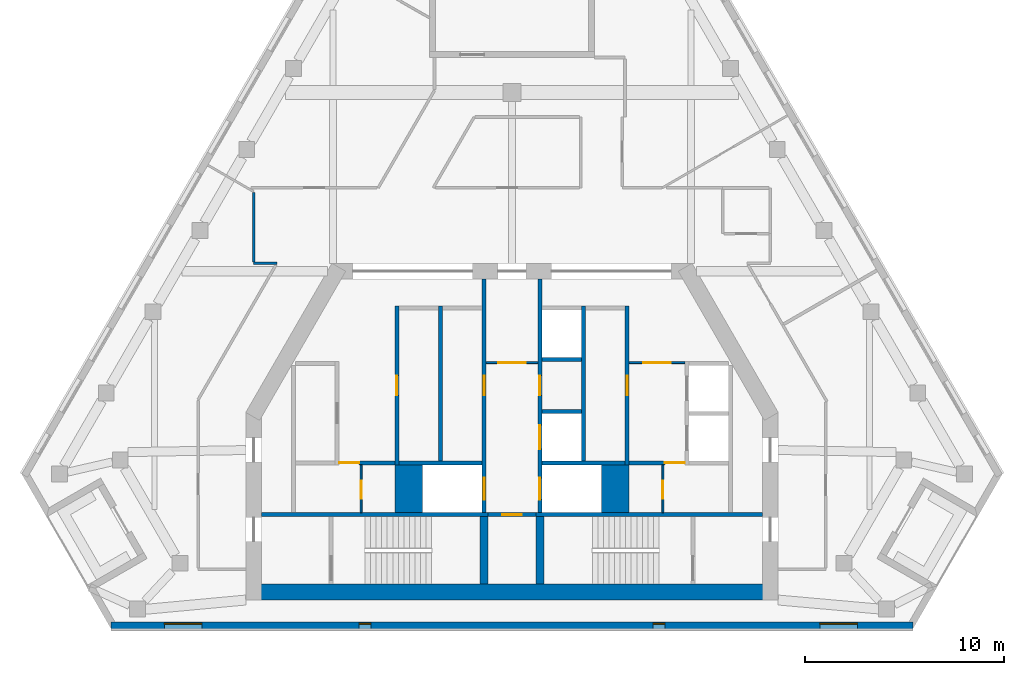
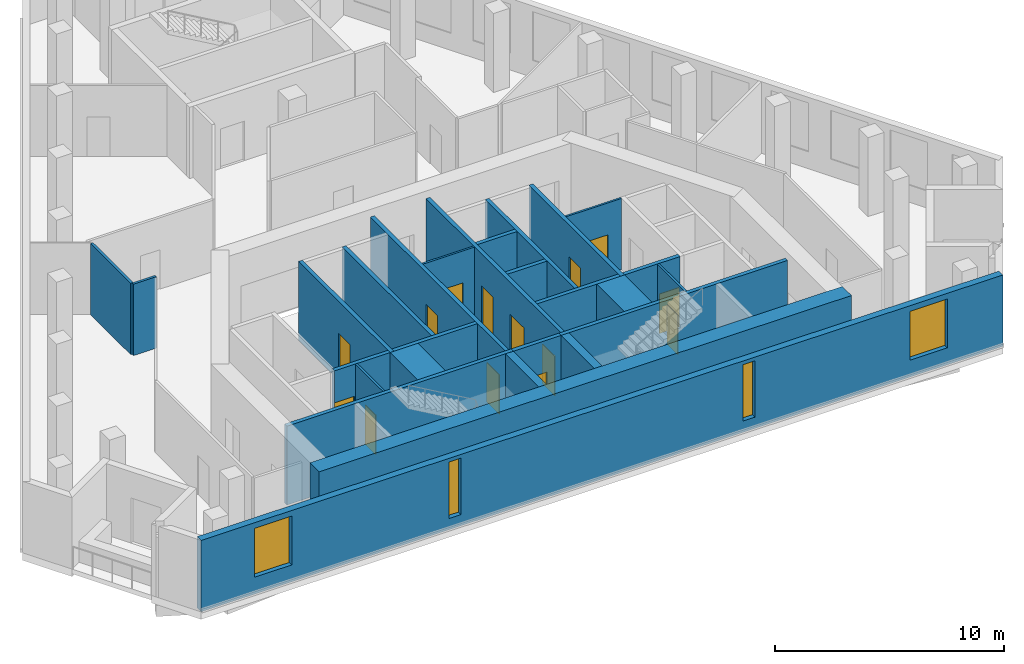
# One storey, part 3 of 8: 27 walls, 14 doors, 4 windows, 18 openings.
"""IFC4 building model written with IfcOpenShell, lengths in metres."""

from ifc_helpers import new_model, si_unit, direction, frame, frame_2d, origin, place, context, subcontext, project, spatial, rectangle, extrude, material, layer, layer_set, type_object, element, fill, save


model = new_model("IFC4")

# Units and contexts
model_context = context("Model", 3, precision=1e-05, world=origin(), true_north=direction((0.0, 1.0)))
body_context = subcontext(model_context, "Body", "Model", "MODEL_VIEW")
ifc_project = project(units=[si_unit("LENGTHUNIT", "METRE"), si_unit("AREAUNIT", "SQUARE_METRE"), si_unit("VOLUMEUNIT", "CUBIC_METRE"), si_unit("PLANEANGLEUNIT", "RADIAN"), si_unit("MASSUNIT", "GRAM", prefix="KILO")], contexts=[model_context])

# Site, building, storey
site_placement = place(None, origin())
site = spatial("IfcSite", under=ifc_project, at=site_placement, CompositionType="ELEMENT")
building_placement = place(site_placement, origin())
building = spatial("IfcBuilding", under=site, at=building_placement, Name="Fogline Exchange Tower", CompositionType="ELEMENT")
storey_placement = place(building_placement, frame((0.0, 0.0, 309.89990234375)))
storey = spatial("IfcBuildingStorey", under=building, at=storey_placement, Name="L70", CompositionType="ELEMENT", Elevation=309.89990234375)

# Wall, opening, door
ifc_material_1 = material(Name="Blockwork partition", Category="masonry")
ifc_layer_1 = layer(ifc_material_1, 0.10009765625)
ifc_layer_set_1 = layer_set([ifc_layer_1], Name="CW10")
wall_type_1 = type_object("IfcWallType", Name="CW10", PredefinedType="PARTITIONING", material=ifc_layer_set_1)
wall_1_placement = place(storey_placement, frame((-7.60009765625, 5.85009765625, 0.0), z_axis=(0.0, 0.0, 1.0), x_axis=(0.0, 1.0, 0.0)))
wall_1 = element("IfcWall", 1, at=wall_1_placement, inside=storey, type_object=wall_type_1, Name="WC partition", PredefinedType="PARTITIONING", context=body_context, shape_type="SweptSolid", body=[
    extrude(rectangle(XDim=2.39990234375, YDim=0.10009765625, at=frame_2d((1.199951171875, 0.0))), origin(), (0.0, 0.0, 1.0), 3.800048828125),
])
opening_1_placement = place(wall_1_placement, frame((0.699951171875, 0.0, 0.0)))
opening_1 = element("IfcOpeningElement", 2, at=opening_1_placement, cuts=wall_1, Name="Opening T22-C008", PredefinedType="OPENING", context=body_context, shape_type="SweptSolid", body=[
    extrude(rectangle(XDim=0.89990234375, YDim=2.10009765625, at=frame_2d((0.449951171875, 1.050048828125))), frame((0.0, 0.06005859375, 0.0), z_axis=(0.0, -1.0, 0.0), x_axis=(1.0, 0.0, 0.0)), (0.0, 0.0, 1.0), 0.1201171875),
])
ifc_material_2 = material(Name="Steel and timber fire door", Category="steel")
door_type_1 = type_object("IfcDoorType", Name="D-CS1", OperationType="SINGLE_SWING_RIGHT", PredefinedType="DOOR", material=ifc_material_2)
door_1_placement = place(opening_1_placement, frame((0.89990234375, 0.0, 0.0), z_axis=(0.0, 0.0, 1.0), x_axis=(-1.0, 0.0, 0.0)))
door_1 = element("IfcDoor", 3, at=door_1_placement, inside=storey, type_object=door_type_1, Name="Door to Cleaner's Store", OperationType="SINGLE_SWING_RIGHT", OverallHeight=2.10009765625, OverallWidth=0.89990234375, PredefinedType="DOOR", context=body_context, shape_type="SweptSolid", body=[
    extrude(rectangle(XDim=0.89990234375, YDim=2.10009765625, at=frame_2d((0.449951171875, 1.050048828125))), frame((0.0, 0.02490234375, 0.0), z_axis=(0.0, -1.0, 0.0), x_axis=(1.0, 0.0, 0.0)), (0.0, 0.0, 1.0), 0.050048828125),
])
fill(opening_1, door_1)

wall_2_placement = place(storey_placement, frame((5.89990234375, 13.39990234375, 0.0), z_axis=(0.0, 0.0, 1.0), x_axis=(1.0, 0.0, 0.0)))
wall_2 = element("IfcWall", 4, at=wall_2_placement, inside=storey, type_object=wall_type_1, Name="Lift lobby partition", PredefinedType="PARTITIONING", context=body_context, shape_type="SweptSolid", body=[
    extrude(rectangle(XDim=2.800048828125, YDim=0.10009765625, at=frame_2d((1.39990234375, 0.0))), origin(), (0.0, 0.0, 1.0), 3.800048828125),
])
opening_2_placement = place(wall_2_placement, frame((0.699951171875, 0.0, 0.0)))
opening_2 = element("IfcOpeningElement", 5, at=opening_2_placement, cuts=wall_2, Name="Opening T22-C012", PredefinedType="OPENING", context=body_context, shape_type="SweptSolid", body=[
    extrude(rectangle(XDim=1.39990234375, YDim=2.10009765625, at=frame_2d((0.699951171875, 1.050048828125))), frame((0.0, 0.06005859375, 0.0), z_axis=(0.0, -1.0, 0.0), x_axis=(1.0, 0.0, 0.0)), (0.0, 0.0, 1.0), 0.1201171875),
])
door_type_2 = type_object("IfcDoorType", Name="D-LB1", OperationType="DOUBLE_DOOR_SINGLE_SWING", PredefinedType="DOOR", material=ifc_material_2)
door_2_placement = place(opening_2_placement, frame((1.39990234375, 0.0, 0.0), z_axis=(0.0, 0.0, 1.0), x_axis=(-1.0, 0.0, 0.0)))
door_2 = element("IfcDoor", 6, at=door_2_placement, inside=storey, type_object=door_type_2, Name="Door to lift lobby", OperationType="DOUBLE_DOOR_SINGLE_SWING", OverallHeight=2.10009765625, OverallWidth=1.39990234375, PredefinedType="DOOR", context=body_context, shape_type="SweptSolid", body=[
    extrude(rectangle(XDim=1.39990234375, YDim=2.10009765625, at=frame_2d((0.699951171875, 1.050048828125))), frame((0.0, 0.02490234375, 0.0), z_axis=(0.0, -1.0, 0.0), x_axis=(1.0, 0.0, 0.0)), (0.0, 0.0, 1.0), 0.050048828125),
])
fill(opening_2, door_2)

wall_3_placement = place(storey_placement, frame((7.60009765625, 5.85009765625, 0.0), z_axis=(0.0, 0.0, 1.0), x_axis=(0.0, 1.0, 0.0)))
wall_3 = element("IfcWall", 7, at=wall_3_placement, inside=storey, type_object=wall_type_1, Name="WC partition", PredefinedType="PARTITIONING", context=body_context, shape_type="SweptSolid", body=[
    extrude(rectangle(XDim=2.39990234375, YDim=0.10009765625, at=frame_2d((1.199951171875, 0.0))), origin(), (0.0, 0.0, 1.0), 3.800048828125),
])
opening_3_placement = place(wall_3_placement, frame((0.699951171875, 0.0, 0.0)))
opening_3 = element("IfcOpeningElement", 8, at=opening_3_placement, cuts=wall_3, Name="Opening T22-C014", PredefinedType="OPENING", context=body_context, shape_type="SweptSolid", body=[
    extrude(rectangle(XDim=0.89990234375, YDim=2.10009765625, at=frame_2d((0.449951171875, 1.050048828125))), frame((0.0, 0.06005859375, 0.0), z_axis=(0.0, -1.0, 0.0), x_axis=(1.0, 0.0, 0.0)), (0.0, 0.0, 1.0), 0.1201171875),
])
door_3_placement = place(opening_3_placement, origin())
door_3 = element("IfcDoor", 9, at=door_3_placement, inside=storey, type_object=door_type_1, Name="Door to Cleaner's Store", OperationType="SINGLE_SWING_LEFT", OverallHeight=2.10009765625, OverallWidth=0.89990234375, PredefinedType="DOOR", context=body_context, shape_type="SweptSolid", body=[
    extrude(rectangle(XDim=0.89990234375, YDim=2.10009765625, at=frame_2d((0.449951171875, 1.050048828125))), frame((0.0, 0.02490234375, 0.0), z_axis=(0.0, -1.0, 0.0), x_axis=(1.0, 0.0, 0.0)), (0.0, 0.0, 1.0), 0.050048828125),
])
fill(opening_3, door_3)

wall_4_placement = place(storey_placement, frame((-1.300048828125, 13.39990234375, 0.0), z_axis=(0.0, 0.0, 1.0), x_axis=(1.0, 0.0, 0.0)))
wall_4 = element("IfcWall", 10, at=wall_4_placement, inside=storey, type_object=wall_type_1, Name="Lift lobby partition", PredefinedType="PARTITIONING", context=body_context, shape_type="SweptSolid", body=[
    extrude(rectangle(XDim=2.60009765625, YDim=0.10009765625, at=frame_2d((1.300048828125, 0.0))), origin(), (0.0, 0.0, 1.0), 3.800048828125),
])
opening_4_placement = place(wall_4_placement, frame((0.60009765625, 0.0, 0.0)))
opening_4 = element("IfcOpeningElement", 11, at=opening_4_placement, cuts=wall_4, Name="Opening T22-C018", PredefinedType="OPENING", context=body_context, shape_type="SweptSolid", body=[
    extrude(rectangle(XDim=1.39990234375, YDim=2.10009765625, at=frame_2d((0.699951171875, 1.050048828125))), frame((0.0, 0.06005859375, 0.0), z_axis=(0.0, -1.0, 0.0), x_axis=(1.0, 0.0, 0.0)), (0.0, 0.0, 1.0), 0.1201171875),
])
door_4_placement = place(opening_4_placement, origin())
door_4 = element("IfcDoor", 12, at=door_4_placement, inside=storey, type_object=door_type_2, Name="Door to firefighting lift lobby", OperationType="DOUBLE_DOOR_SINGLE_SWING", OverallHeight=2.10009765625, OverallWidth=1.39990234375, PredefinedType="DOOR", context=body_context, shape_type="SweptSolid", body=[
    extrude(rectangle(XDim=1.39990234375, YDim=2.10009765625, at=frame_2d((0.699951171875, 1.050048828125))), frame((0.0, 0.02490234375, 0.0), z_axis=(0.0, -1.0, 0.0), x_axis=(1.0, 0.0, 0.0)), (0.0, 0.0, 1.0), 0.050048828125),
])
fill(opening_4, door_4)

# Walls
ifc_material_3 = material(Name="Concrete C60", Category="concrete")
ifc_layer_2 = layer(ifc_material_3, 1.39990234375)
ifc_layer_set_2 = layer_set([ifc_layer_2], Name="CW140")
wall_type_2 = type_object("IfcWallType", Name="CW140", PredefinedType="SOLIDWALL", material=ifc_layer_set_2)
for number, where, z_axis, x_axis, name in (
    (13, (-5.199951171875, 5.85009765625, -0.39990234375), (0.0, 0.0, 1.0), (0.0, 1.0, 0.0), "Lift shaft block wall"),
    (14, (5.199951171875, 5.85009765625, -0.39990234375), (0.0, 0.0, 1.0), (0.0, 1.0, 0.0), "Lift shaft block wall"),
):
    element("IfcWall", number, at=place(storey_placement, frame(where, z_axis=z_axis, x_axis=x_axis)), inside=storey, type_object=wall_type_2, Name=name, PredefinedType="SOLIDWALL", context=body_context, shape_type="SweptSolid", body=[
        extrude(rectangle(XDim=2.39990234375, YDim=1.39990234375, at=frame_2d((1.199951171875, 0.0))), origin(), (0.0, 0.0, 1.0), 4.199951171875),
    ])

# Wall, opening, door
ifc_material_4 = material(Name="Concrete C40", Category="concrete")
ifc_layer_3 = layer(ifc_material_4, 0.199951171875)
ifc_layer_set_3 = layer_set([ifc_layer_3], Name="CW20")
wall_type_3 = type_object("IfcWallType", Name="CW20", PredefinedType="SOLIDWALL", material=ifc_layer_set_3)
wall_5_placement = place(storey_placement, frame((-8.699951171875, 8.35009765625, 0.0), z_axis=(0.0, 0.0, 1.0), x_axis=(1.0, 0.0, 0.0)))
wall_5 = element("IfcWall", 15, at=wall_5_placement, inside=storey, type_object=wall_type_3, Name="WC wall", PredefinedType="SOLIDWALL", context=body_context, shape_type="SweptSolid", body=[
    extrude(rectangle(XDim=2.800048828125, YDim=0.199951171875, at=frame_2d((1.39990234375, 0.0))), origin(), (0.0, 0.0, 1.0), 3.800048828125),
])
opening_5_placement = place(wall_5_placement, origin())
opening_5 = element("IfcOpeningElement", 16, at=opening_5_placement, cuts=wall_5, Name="Opening T22-C007", PredefinedType="OPENING", context=body_context, shape_type="SweptSolid", body=[
    extrude(rectangle(XDim=1.0, YDim=2.10009765625, at=frame_2d((0.5, 1.050048828125))), frame((0.0, 0.10986328125, 0.0), z_axis=(0.0, -1.0, 0.0), x_axis=(1.0, 0.0, 0.0)), (0.0, 0.0, 1.0), 0.219970703125),
])
door_type_3 = type_object("IfcDoorType", Name="D-WC1", OperationType="SINGLE_SWING_LEFT", PredefinedType="DOOR", material=ifc_material_2)
door_5_placement = place(opening_5_placement, frame((1.0, 0.0, 0.0), z_axis=(0.0, 0.0, 1.0), x_axis=(-1.0, 0.0, 0.0)))
door_5 = element("IfcDoor", 17, at=door_5_placement, inside=storey, type_object=door_type_3, Name="Door to Men's WC", OperationType="SINGLE_SWING_LEFT", OverallHeight=2.10009765625, OverallWidth=1.0, PredefinedType="DOOR", context=body_context, shape_type="SweptSolid", body=[
    extrude(rectangle(XDim=1.0, YDim=2.10009765625, at=frame_2d((0.5, 1.050048828125))), frame((0.0, 0.02490234375, 0.0), z_axis=(0.0, -1.0, 0.0), x_axis=(1.0, 0.0, 0.0)), (0.0, 0.0, 1.0), 0.050048828125),
])
fill(opening_5, door_5)

wall_6_placement = place(storey_placement, frame((5.89990234375, 8.35009765625, 0.0), z_axis=(0.0, 0.0, 1.0), x_axis=(1.0, 0.0, 0.0)))
wall_6 = element("IfcWall", 18, at=wall_6_placement, inside=storey, type_object=wall_type_3, Name="WC wall", PredefinedType="SOLIDWALL", context=body_context, shape_type="SweptSolid", body=[
    extrude(rectangle(XDim=2.800048828125, YDim=0.199951171875, at=frame_2d((1.39990234375, 0.0))), origin(), (0.0, 0.0, 1.0), 3.800048828125),
])
opening_6_placement = place(wall_6_placement, frame((1.800048828125, 0.0, 0.0)))
opening_6 = element("IfcOpeningElement", 19, at=opening_6_placement, cuts=wall_6, Name="Opening T22-C013", PredefinedType="OPENING", context=body_context, shape_type="SweptSolid", body=[
    extrude(rectangle(XDim=1.0, YDim=2.10009765625, at=frame_2d((0.5, 1.050048828125))), frame((0.0, 0.10986328125, 0.0), z_axis=(0.0, -1.0, 0.0), x_axis=(1.0, 0.0, 0.0)), (0.0, 0.0, 1.0), 0.219970703125),
])
door_6_placement = place(opening_6_placement, frame((1.0, 0.0, 0.0), z_axis=(0.0, 0.0, 1.0), x_axis=(-1.0, 0.0, 0.0)))
door_6 = element("IfcDoor", 20, at=door_6_placement, inside=storey, type_object=door_type_3, Name="Door to Women's WC", OperationType="SINGLE_SWING_LEFT", OverallHeight=2.10009765625, OverallWidth=1.0, PredefinedType="DOOR", context=body_context, shape_type="SweptSolid", body=[
    extrude(rectangle(XDim=1.0, YDim=2.10009765625, at=frame_2d((0.5, 1.050048828125))), frame((0.0, 0.02490234375, 0.0), z_axis=(0.0, -1.0, 0.0), x_axis=(1.0, 0.0, 0.0)), (0.0, 0.0, 1.0), 0.050048828125),
])
fill(opening_6, door_6)

# Wall
ifc_layer_4 = layer(ifc_material_4, 0.199951171875)
ifc_layer_set_4 = layer_set([ifc_layer_4], Name="CW20R")
wall_type_4 = type_object("IfcWallType", Name="CW20R", PredefinedType="SOLIDWALL", material=ifc_layer_set_4)
wall_7_placement = place(storey_placement, frame((-12.60009765625, 5.75, -0.39990234375), z_axis=(0.0, 0.0, 1.0), x_axis=(1.0, 0.0, 0.0)))
element("IfcWall", 21, at=wall_7_placement, inside=storey, type_object=wall_type_4, Name="Stair enclosure wall", PredefinedType="SOLIDWALL", context=body_context, shape_type="SweptSolid", body=[
    extrude(rectangle(XDim=11.400146484375, YDim=0.199951171875, at=frame_2d((5.7001953125, 0.0))), origin(), (0.0, 0.0, 1.0), 4.199951171875),
])

# Wall, opening, door
wall_8_placement = place(storey_placement, frame((-1.199951171875, 5.75, -0.39990234375), z_axis=(0.0, 0.0, 1.0), x_axis=(1.0, 0.0, 0.0)))
wall_8 = element("IfcWall", 22, at=wall_8_placement, inside=storey, type_object=wall_type_4, Name="Stair enclosure wall", PredefinedType="SOLIDWALL", context=body_context, shape_type="SweptSolid", body=[
    extrude(rectangle(XDim=2.39990234375, YDim=0.199951171875, at=frame_2d((1.199951171875, 0.0))), origin(), (0.0, 0.0, 1.0), 4.199951171875),
])
opening_7_placement = place(wall_8_placement, frame((0.699951171875, 0.0, 0.39990234375)))
opening_7 = element("IfcOpeningElement", 23, at=opening_7_placement, cuts=wall_8, Name="Opening T22-C006", PredefinedType="OPENING", context=body_context, shape_type="SweptSolid", body=[
    extrude(rectangle(XDim=1.0, YDim=2.10009765625, at=frame_2d((0.5, 1.050048828125))), frame((0.0, 0.10986328125, 0.0), z_axis=(0.0, -1.0, 0.0), x_axis=(1.0, 0.0, 0.0)), (0.0, 0.0, 1.0), 0.219970703125),
])
door_type_4 = type_object("IfcDoorType", Name="D-RM1", OperationType="SINGLE_SWING_LEFT", PredefinedType="DOOR", material=ifc_material_2)
door_7_placement = place(opening_7_placement, frame((1.0, 0.0, 0.0), z_axis=(0.0, 0.0, 1.0), x_axis=(-1.0, 0.0, 0.0)))
door_7 = element("IfcDoor", 24, at=door_7_placement, inside=storey, type_object=door_type_4, Name="Door to Riser Room", OperationType="SINGLE_SWING_RIGHT", OverallHeight=2.10009765625, OverallWidth=1.0, PredefinedType="DOOR", context=body_context, shape_type="SweptSolid", body=[
    extrude(rectangle(XDim=1.0, YDim=2.10009765625, at=frame_2d((0.5, 1.050048828125))), frame((0.0, 0.02490234375, 0.0), z_axis=(0.0, -1.0, 0.0), x_axis=(1.0, 0.0, 0.0)), (0.0, 0.0, 1.0), 0.050048828125),
])
fill(opening_7, door_7)

# Wall
wall_9_placement = place(storey_placement, frame((1.199951171875, 5.75, -0.39990234375), z_axis=(0.0, 0.0, 1.0), x_axis=(1.0, 0.0, 0.0)))
element("IfcWall", 25, at=wall_9_placement, inside=storey, type_object=wall_type_4, Name="Stair enclosure wall", PredefinedType="SOLIDWALL", context=body_context, shape_type="SweptSolid", body=[
    extrude(rectangle(XDim=11.400146484375, YDim=0.199951171875, at=frame_2d((5.7001953125, 0.0))), origin(), (0.0, 0.0, 1.0), 4.199951171875),
])

# Wall, opening, door
ifc_layer_5 = layer(ifc_material_4, 0.199951171875)
ifc_layer_set_5 = layer_set([ifc_layer_5], Name="CW20S")
wall_type_5 = type_object("IfcWallType", Name="CW20S", PredefinedType="SOLIDWALL", material=ifc_layer_set_5)
wall_10_placement = place(storey_placement, frame((-5.800048828125, 8.25, -0.39990234375), z_axis=(0.0, 0.0, 1.0), x_axis=(0.0, 1.0, 0.0)))
wall_10 = element("IfcWall", 26, at=wall_10_placement, inside=storey, type_object=wall_type_5, Name="Lift shaft wall", PredefinedType="SOLIDWALL", context=body_context, shape_type="SweptSolid", body=[
    extrude(rectangle(XDim=8.0, YDim=0.199951171875, at=frame_2d((4.0, 0.0))), origin(), (0.0, 0.0, 1.0), 4.199951171875),
])
opening_8_placement = place(wall_10_placement, frame((3.5, 0.0, 0.39990234375)))
opening_8 = element("IfcOpeningElement", 27, at=opening_8_placement, cuts=wall_10, Name="Opening T22-C002", PredefinedType="OPENING", context=body_context, shape_type="SweptSolid", body=[
    extrude(rectangle(XDim=1.0, YDim=2.10009765625, at=frame_2d((0.5, 1.050048828125))), frame((0.0, 0.10986328125, 0.0), z_axis=(0.0, -1.0, 0.0), x_axis=(1.0, 0.0, 0.0)), (0.0, 0.0, 1.0), 0.219970703125),
])
door_8_placement = place(opening_8_placement, frame((1.0, 0.0, 0.0), z_axis=(0.0, 0.0, 1.0), x_axis=(-1.0, 0.0, 0.0)))
door_8 = element("IfcDoor", 28, at=door_8_placement, inside=storey, type_object=door_type_4, Name="Door to Service Hall", OperationType="SINGLE_SWING_RIGHT", OverallHeight=2.10009765625, OverallWidth=1.0, PredefinedType="DOOR", context=body_context, shape_type="SweptSolid", body=[
    extrude(rectangle(XDim=1.0, YDim=2.10009765625, at=frame_2d((0.5, 1.050048828125))), frame((0.0, 0.02490234375, 0.0), z_axis=(0.0, -1.0, 0.0), x_axis=(1.0, 0.0, 0.0)), (0.0, 0.0, 1.0), 0.050048828125),
])
fill(opening_8, door_8)

wall_11_placement = place(storey_placement, frame((5.800048828125, 8.25, -0.39990234375), z_axis=(0.0, 0.0, 1.0), x_axis=(0.0, 1.0, 0.0)))
wall_11 = element("IfcWall", 29, at=wall_11_placement, inside=storey, type_object=wall_type_5, Name="Lift shaft wall", PredefinedType="SOLIDWALL", context=body_context, shape_type="SweptSolid", body=[
    extrude(rectangle(XDim=8.0, YDim=0.199951171875, at=frame_2d((4.0, 0.0))), origin(), (0.0, 0.0, 1.0), 4.199951171875),
])
opening_9_placement = place(wall_11_placement, frame((3.5, 0.0, 0.39990234375)))
opening_9 = element("IfcOpeningElement", 30, at=opening_9_placement, cuts=wall_11, Name="Opening T22-C004", PredefinedType="OPENING", context=body_context, shape_type="SweptSolid", body=[
    extrude(rectangle(XDim=1.0, YDim=2.10009765625, at=frame_2d((0.5, 1.050048828125))), frame((0.0, 0.10986328125, 0.0), z_axis=(0.0, -1.0, 0.0), x_axis=(1.0, 0.0, 0.0)), (0.0, 0.0, 1.0), 0.219970703125),
])
door_9_placement = place(opening_9_placement, origin())
door_9 = element("IfcDoor", 31, at=door_9_placement, inside=storey, type_object=door_type_4, Name="Door to Trading Desk Annexe", OperationType="SINGLE_SWING_LEFT", OverallHeight=2.10009765625, OverallWidth=1.0, PredefinedType="DOOR", context=body_context, shape_type="SweptSolid", body=[
    extrude(rectangle(XDim=1.0, YDim=2.10009765625, at=frame_2d((0.5, 1.050048828125))), frame((0.0, 0.02490234375, 0.0), z_axis=(0.0, -1.0, 0.0), x_axis=(1.0, 0.0, 0.0)), (0.0, 0.0, 1.0), 0.050048828125),
])
fill(opening_9, door_9)

# Walls
for number, where, z_axis, x_axis, name in (
    (32, (-3.60009765625, 8.449951171875, -0.39990234375), (0.0, 0.0, 1.0), (0.0, 1.0, 0.0), "Lift shaft wall"),
    (33, (3.60009765625, 8.449951171875, -0.39990234375), (0.0, 0.0, 1.0), (0.0, 1.0, 0.0), "Lift shaft wall"),
):
    element("IfcWall", number, at=place(storey_placement, frame(where, z_axis=z_axis, x_axis=x_axis)), inside=storey, type_object=wall_type_5, Name=name, PredefinedType="SOLIDWALL", context=body_context, shape_type="SweptSolid", body=[
        extrude(rectangle(XDim=7.800048828125, YDim=0.199951171875, at=frame_2d((3.89990234375, 0.0))), origin(), (0.0, 0.0, 1.0), 4.199951171875),
    ])

# Wall, openings, doors
wall_12_placement = place(storey_placement, frame((-1.39990234375, 5.85009765625, -0.39990234375), z_axis=(0.0, 0.0, 1.0), x_axis=(0.0, 1.0, 0.0)))
wall_12 = element("IfcWall", 34, at=wall_12_placement, inside=storey, type_object=wall_type_5, Name="Lift lobby wall", PredefinedType="SOLIDWALL", context=body_context, shape_type="SweptSolid", body=[
    extrude(rectangle(XDim=11.75, YDim=0.199951171875, at=frame_2d((5.875, 0.0))), origin(), (0.0, 0.0, 1.0), 4.199951171875),
])
opening_10_placement = place(wall_12_placement, frame((0.64990234375, 0.0, 0.39990234375)))
opening_10 = element("IfcOpeningElement", 35, at=opening_10_placement, cuts=wall_12, Name="Opening T22-LD01", PredefinedType="OPENING", context=body_context, shape_type="SweptSolid", body=[
    extrude(rectangle(XDim=1.10009765625, YDim=2.10009765625, at=frame_2d((0.550048828125, 1.050048828125))), frame((0.0, 0.10986328125, 0.0), z_axis=(0.0, -1.0, 0.0), x_axis=(1.0, 0.0, 0.0)), (0.0, 0.0, 1.0), 0.219970703125),
])
opening_11_placement = place(wall_12_placement, frame((5.89990234375, 0.0, 0.39990234375)))
opening_11 = element("IfcOpeningElement", 36, at=opening_11_placement, cuts=wall_12, Name="Opening T22-C003", PredefinedType="OPENING", context=body_context, shape_type="SweptSolid", body=[
    extrude(rectangle(XDim=1.0, YDim=2.10009765625, at=frame_2d((0.5, 1.050048828125))), frame((0.0, 0.10986328125, 0.0), z_axis=(0.0, -1.0, 0.0), x_axis=(1.0, 0.0, 0.0)), (0.0, 0.0, 1.0), 0.219970703125),
])
door_10_placement = place(opening_11_placement, origin())
door_10 = element("IfcDoor", 37, at=door_10_placement, inside=storey, type_object=door_type_4, Name="Door to Records Hall", OperationType="SINGLE_SWING_LEFT", OverallHeight=2.10009765625, OverallWidth=1.0, PredefinedType="DOOR", context=body_context, shape_type="SweptSolid", body=[
    extrude(rectangle(XDim=1.0, YDim=2.10009765625, at=frame_2d((0.5, 1.050048828125))), frame((0.0, 0.02490234375, 0.0), z_axis=(0.0, -1.0, 0.0), x_axis=(1.0, 0.0, 0.0)), (0.0, 0.0, 1.0), 0.050048828125),
])
fill(opening_11, door_10)
door_type_5 = type_object("IfcDoorType", Name="LD2", OperationType="SLIDING_TO_RIGHT", PredefinedType="DOOR", material=ifc_material_2)
door_11_placement = place(opening_10_placement, origin())
door_11 = element("IfcDoor", 38, at=door_11_placement, inside=storey, type_object=door_type_5, Name="Landing door FF1", OperationType="SLIDING_TO_RIGHT", OverallHeight=2.10009765625, OverallWidth=1.10009765625, PredefinedType="DOOR", context=body_context, shape_type="SweptSolid", body=[
    extrude(rectangle(XDim=1.10009765625, YDim=2.10009765625, at=frame_2d((0.550048828125, 1.050048828125))), frame((0.0, 0.02490234375, 0.0), z_axis=(0.0, -1.0, 0.0), x_axis=(1.0, 0.0, 0.0)), (0.0, 0.0, 1.0), 0.050048828125),
])
fill(opening_10, door_11)

wall_13_placement = place(storey_placement, frame((1.39990234375, 5.85009765625, -0.39990234375), z_axis=(0.0, 0.0, 1.0), x_axis=(0.0, 1.0, 0.0)))
wall_13 = element("IfcWall", 39, at=wall_13_placement, inside=storey, type_object=wall_type_5, Name="Lift lobby wall", PredefinedType="SOLIDWALL", context=body_context, shape_type="SweptSolid", body=[
    extrude(rectangle(XDim=11.75, YDim=0.199951171875, at=frame_2d((5.875, 0.0))), origin(), (0.0, 0.0, 1.0), 4.199951171875),
])
opening_12_placement = place(wall_13_placement, frame((3.199951171875, 0.0, 0.39990234375)))
opening_12 = element("IfcOpeningElement", 40, at=opening_12_placement, cuts=wall_13, Name="Opening T22-LD04", PredefinedType="OPENING", context=body_context, shape_type="SweptSolid", body=[
    extrude(rectangle(XDim=1.199951171875, YDim=2.10009765625, at=frame_2d((0.60009765625, 1.050048828125))), frame((0.0, 0.10986328125, 0.0), z_axis=(0.0, -1.0, 0.0), x_axis=(1.0, 0.0, 0.0)), (0.0, 0.0, 1.0), 0.219970703125),
])
opening_13_placement = place(wall_13_placement, frame((0.64990234375, 0.0, 0.39990234375)))
opening_13 = element("IfcOpeningElement", 41, at=opening_13_placement, cuts=wall_13, Name="Opening T22-LD05", PredefinedType="OPENING", context=body_context, shape_type="SweptSolid", body=[
    extrude(rectangle(XDim=1.10009765625, YDim=2.10009765625, at=frame_2d((0.550048828125, 1.050048828125))), frame((0.0, 0.10986328125, 0.0), z_axis=(0.0, -1.0, 0.0), x_axis=(1.0, 0.0, 0.0)), (0.0, 0.0, 1.0), 0.219970703125),
])
opening_14_placement = place(wall_13_placement, frame((5.89990234375, 0.0, 0.39990234375)))
opening_14 = element("IfcOpeningElement", 42, at=opening_14_placement, cuts=wall_13, Name="Opening T22-C005", PredefinedType="OPENING", context=body_context, shape_type="SweptSolid", body=[
    extrude(rectangle(XDim=1.0, YDim=2.10009765625, at=frame_2d((0.5, 1.050048828125))), frame((0.0, 0.10986328125, 0.0), z_axis=(0.0, -1.0, 0.0), x_axis=(1.0, 0.0, 0.0)), (0.0, 0.0, 1.0), 0.219970703125),
])
door_12_placement = place(opening_14_placement, frame((1.0, 0.0, 0.0), z_axis=(0.0, 0.0, 1.0), x_axis=(-1.0, 0.0, 0.0)))
door_12 = element("IfcDoor", 43, at=door_12_placement, inside=storey, type_object=door_type_4, Name="Door to Cable Store", OperationType="SINGLE_SWING_RIGHT", OverallHeight=2.10009765625, OverallWidth=1.0, PredefinedType="DOOR", context=body_context, shape_type="SweptSolid", body=[
    extrude(rectangle(XDim=1.0, YDim=2.10009765625, at=frame_2d((0.5, 1.050048828125))), frame((0.0, 0.02490234375, 0.0), z_axis=(0.0, -1.0, 0.0), x_axis=(1.0, 0.0, 0.0)), (0.0, 0.0, 1.0), 0.050048828125),
])
fill(opening_14, door_12)
door_type_6 = type_object("IfcDoorType", Name="LD1", OperationType="SLIDING_TO_LEFT", PredefinedType="DOOR", material=ifc_material_2)
door_13_placement = place(opening_12_placement, origin())
door_13 = element("IfcDoor", 44, at=door_13_placement, inside=storey, type_object=door_type_6, Name="Landing door HR3", OperationType="SLIDING_TO_LEFT", OverallHeight=2.10009765625, OverallWidth=1.199951171875, PredefinedType="DOOR", context=body_context, shape_type="SweptSolid", body=[
    extrude(rectangle(XDim=1.199951171875, YDim=2.10009765625, at=frame_2d((0.60009765625, 1.050048828125))), frame((0.0, 0.02490234375, 0.0), z_axis=(0.0, -1.0, 0.0), x_axis=(1.0, 0.0, 0.0)), (0.0, 0.0, 1.0), 0.050048828125),
])
fill(opening_12, door_13)
door_14_placement = place(opening_13_placement, origin())
door_14 = element("IfcDoor", 45, at=door_14_placement, inside=storey, type_object=door_type_5, Name="Landing door FF2", OperationType="SLIDING_TO_RIGHT", OverallHeight=2.10009765625, OverallWidth=1.10009765625, PredefinedType="DOOR", context=body_context, shape_type="SweptSolid", body=[
    extrude(rectangle(XDim=1.10009765625, YDim=2.10009765625, at=frame_2d((0.550048828125, 1.050048828125))), frame((0.0, 0.02490234375, 0.0), z_axis=(0.0, -1.0, 0.0), x_axis=(1.0, 0.0, 0.0)), (0.0, 0.0, 1.0), 0.050048828125),
])
fill(opening_13, door_14)

# Walls
for number, where, z_axis, x_axis, name in (
    (46, (-5.699951171875, 8.35009765625, -0.39990234375), (0.0, 0.0, 1.0), (1.0, 0.0, 0.0), "Lift shaft wall"),
    (47, (1.5, 8.35009765625, -0.39990234375), (0.0, 0.0, 1.0), (1.0, 0.0, 0.0), "Lift shaft wall"),
):
    element("IfcWall", number, at=place(storey_placement, frame(where, z_axis=z_axis, x_axis=x_axis)), inside=storey, type_object=wall_type_5, Name=name, PredefinedType="SOLIDWALL", context=body_context, shape_type="SweptSolid", body=[
        extrude(rectangle(XDim=4.199951171875, YDim=0.199951171875, at=frame_2d((2.10009765625, 0.0))), origin(), (0.0, 0.0, 1.0), 4.199951171875),
    ])
for number, where, z_axis, x_axis, name in (
    (48, (1.5, 10.949951171875, -0.39990234375), (0.0, 0.0, 1.0), (1.0, 0.0, 0.0), "Lift shaft wall"),
    (49, (1.5, 13.550048828125, -0.39990234375), (0.0, 0.0, 1.0), (1.0, 0.0, 0.0), "Lift shaft wall"),
):
    element("IfcWall", number, at=place(storey_placement, frame(where, z_axis=z_axis, x_axis=x_axis)), inside=storey, type_object=wall_type_5, Name=name, PredefinedType="SOLIDWALL", context=body_context, shape_type="SweptSolid", body=[
        extrude(rectangle(XDim=2.0, YDim=0.199951171875, at=frame_2d((1.0, 0.0))), origin(), (0.0, 0.0, 1.0), 4.199951171875),
    ])
ifc_layer_6 = layer(ifc_material_4, 0.39990234375)
ifc_layer_set_6 = layer_set([ifc_layer_6], Name="CW40R")
wall_type_6 = type_object("IfcWallType", Name="CW40R", PredefinedType="SOLIDWALL", material=ifc_layer_set_6)
for number, where, z_axis, x_axis, name in (
    (50, (-1.39990234375, 2.25, -0.39990234375), (0.0, 0.0, 1.0), (0.0, 1.0, 0.0), "Stair and lift shaft wall"),
    (51, (1.39990234375, 2.25, -0.39990234375), (0.0, 0.0, 1.0), (0.0, 1.0, 0.0), "Stair and lift shaft wall"),
):
    element("IfcWall", number, at=place(storey_placement, frame(where, z_axis=z_axis, x_axis=x_axis)), inside=storey, type_object=wall_type_6, Name=name, PredefinedType="SOLIDWALL", context=body_context, shape_type="SweptSolid", body=[
        extrude(rectangle(XDim=3.39990234375, YDim=0.39990234375, at=frame_2d((1.699951171875, 0.0))), origin(), (0.0, 0.0, 1.0), 4.199951171875),
    ])

# Wall, openings, windows
ifc_material_5 = material(Name="Brick masonry", Category="masonry")
ifc_layer_7 = layer(ifc_material_5, 0.340087890625)
ifc_layer_set_7 = layer_set([ifc_layer_7], Name="FW1")
wall_type_7 = type_object("IfcWallType", Name="FW1", PredefinedType="SOLIDWALL", material=ifc_layer_set_7)
wall_14_placement = place(storey_placement, frame((-20.1796875, 0.169921875, 0.0), z_axis=(0.0, 0.0, 1.0), x_axis=(1.0, 0.0, 0.0)))
wall_14 = element("IfcWall", 52, at=wall_14_placement, inside=storey, type_object=wall_type_7, Name="Brick wall L70 S", PredefinedType="SOLIDWALL", context=body_context, shape_type="SweptSolid", body=[
    extrude(rectangle(XDim=40.359375, YDim=0.340087890625, at=frame_2d((20.1796875, 0.0))), origin(), (0.0, 0.0, 1.0), 3.800048828125),
])
opening_15_placement = place(wall_14_placement, frame((2.6796875, 0.0, 0.89990234375)))
opening_15 = element("IfcOpeningElement", 53, at=opening_15_placement, cuts=wall_14, Name="Opening W3", PredefinedType="OPENING", context=body_context, shape_type="SweptSolid", body=[
    extrude(rectangle(XDim=1.885009765625, YDim=2.60009765625, at=frame_2d((0.9423828125, 1.300048828125))), frame((0.0, 0.18017578125, 0.0), z_axis=(0.0, -1.0, 0.0), x_axis=(1.0, 0.0, 0.0)), (0.0, 0.0, 1.0), 0.360107421875),
])
opening_16_placement = place(wall_14_placement, frame((35.6796875, 0.0, 0.89990234375)))
opening_16 = element("IfcOpeningElement", 54, at=opening_16_placement, cuts=wall_14, Name="Opening W3", PredefinedType="OPENING", context=body_context, shape_type="SweptSolid", body=[
    extrude(rectangle(XDim=1.885009765625, YDim=2.60009765625, at=frame_2d((0.9423828125, 1.300048828125))), frame((0.0, 0.18017578125, 0.0), z_axis=(0.0, -1.0, 0.0), x_axis=(1.0, 0.0, 0.0)), (0.0, 0.0, 1.0), 0.360107421875),
])
opening_17_placement = place(wall_14_placement, frame((12.479736328125, 0.0, 0.60009765625)))
opening_17 = element("IfcOpeningElement", 55, at=opening_17_placement, cuts=wall_14, Name="Opening W5", PredefinedType="OPENING", context=body_context, shape_type="SweptSolid", body=[
    extrude(rectangle(XDim=0.60009765625, YDim=3.0, at=frame_2d((0.300048828125, 1.5))), frame((0.0, 0.18017578125, 0.0), z_axis=(0.0, -1.0, 0.0), x_axis=(1.0, 0.0, 0.0)), (0.0, 0.0, 1.0), 0.360107421875),
])
opening_18_placement = place(wall_14_placement, frame((27.27978515625, 0.0, 0.60009765625)))
opening_18 = element("IfcOpeningElement", 56, at=opening_18_placement, cuts=wall_14, Name="Opening W5", PredefinedType="OPENING", context=body_context, shape_type="SweptSolid", body=[
    extrude(rectangle(XDim=0.60009765625, YDim=3.0, at=frame_2d((0.300048828125, 1.5))), frame((0.0, 0.18017578125, 0.0), z_axis=(0.0, -1.0, 0.0), x_axis=(1.0, 0.0, 0.0)), (0.0, 0.0, 1.0), 0.360107421875),
])
ifc_material_6 = material(Name="Aluminium and glass", Category="aluminium")
window_type_1 = type_object("IfcWindowType", Name="W3", PartitioningType="SINGLE_PANEL", PredefinedType="WINDOW", material=ifc_material_6)
window_1_placement = place(opening_15_placement, origin())
window_1 = element("IfcWindow", 57, at=window_1_placement, inside=storey, type_object=window_type_1, Name="W3 W3", OverallHeight=2.60009765625, OverallWidth=1.885009765625, PartitioningType="SINGLE_PANEL", PredefinedType="WINDOW", context=body_context, shape_type="SweptSolid", body=[
    extrude(rectangle(XDim=1.885009765625, YDim=2.60009765625, at=frame_2d((0.9423828125, 1.300048828125))), frame((0.0, 0.110107421875, 0.0), z_axis=(0.0, -1.0, 0.0), x_axis=(1.0, 0.0, 0.0)), (0.0, 0.0, 1.0), 0.06005859375),
])
fill(opening_15, window_1)
window_2_placement = place(opening_16_placement, origin())
window_2 = element("IfcWindow", 58, at=window_2_placement, inside=storey, type_object=window_type_1, Name="W3 W3", OverallHeight=2.60009765625, OverallWidth=1.885009765625, PartitioningType="SINGLE_PANEL", PredefinedType="WINDOW", context=body_context, shape_type="SweptSolid", body=[
    extrude(rectangle(XDim=1.885009765625, YDim=2.60009765625, at=frame_2d((0.9423828125, 1.300048828125))), frame((0.0, 0.110107421875, 0.0), z_axis=(0.0, -1.0, 0.0), x_axis=(1.0, 0.0, 0.0)), (0.0, 0.0, 1.0), 0.06005859375),
])
fill(opening_16, window_2)
window_type_2 = type_object("IfcWindowType", Name="W5", PartitioningType="SINGLE_PANEL", PredefinedType="WINDOW", material=ifc_material_6)
window_3_placement = place(opening_17_placement, origin())
window_3 = element("IfcWindow", 59, at=window_3_placement, inside=storey, type_object=window_type_2, Name="W5 W5", OverallHeight=3.0, OverallWidth=0.60009765625, PartitioningType="SINGLE_PANEL", PredefinedType="WINDOW", context=body_context, shape_type="SweptSolid", body=[
    extrude(rectangle(XDim=0.60009765625, YDim=3.0, at=frame_2d((0.300048828125, 1.5))), frame((0.0, 0.110107421875, 0.0), z_axis=(0.0, -1.0, 0.0), x_axis=(1.0, 0.0, 0.0)), (0.0, 0.0, 1.0), 0.06005859375),
])
fill(opening_17, window_3)
window_4_placement = place(opening_18_placement, origin())
window_4 = element("IfcWindow", 60, at=window_4_placement, inside=storey, type_object=window_type_2, Name="W5 W5", OverallHeight=3.0, OverallWidth=0.60009765625, PartitioningType="SINGLE_PANEL", PredefinedType="WINDOW", context=body_context, shape_type="SweptSolid", body=[
    extrude(rectangle(XDim=0.60009765625, YDim=3.0, at=frame_2d((0.300048828125, 1.5))), frame((0.0, 0.110107421875, 0.0), z_axis=(0.0, -1.0, 0.0), x_axis=(1.0, 0.0, 0.0)), (0.0, 0.0, 1.0), 0.06005859375),
])
fill(opening_18, window_4)

# Walls
ifc_material_7 = material(Name="Plasterboard corridor partition with mineral wool, 2 layers each side")
ifc_layer_8 = layer(ifc_material_7, 0.125)
ifc_layer_set_8 = layer_set([ifc_layer_8], Name="PW2")
wall_type_8 = type_object("IfcWallType", Name="PW2", PredefinedType="PARTITIONING", material=ifc_layer_set_8)
wall_15_placement = place(storey_placement, frame((-11.83642578125, 18.39990234375, 0.0), z_axis=(0.0, 0.0, 1.0), x_axis=(-1.0, 0.0, 0.0)))
element("IfcWall", 61, at=wall_15_placement, inside=storey, type_object=wall_type_8, Name="wall-L70-W013", PredefinedType="PARTITIONING", context=body_context, shape_type="SweptSolid", body=[
    extrude(rectangle(XDim=1.16357421875, YDim=0.125, at=frame_2d((0.581787109375, 0.0))), origin(), (0.0, 0.0, 1.0), 3.800048828125),
])
wall_16_placement = place(storey_placement, frame((-13.0, 18.46240234375, 0.0), z_axis=(0.0, 0.0, 1.0), x_axis=(0.0, 1.0, 0.0)))
element("IfcWall", 62, at=wall_16_placement, inside=storey, type_object=wall_type_8, Name="wall-L70-W014", PredefinedType="PARTITIONING", context=body_context, shape_type="SweptSolid", body=[
    extrude(rectangle(XDim=3.500244140625, YDim=0.125, at=frame_2d((1.75, 0.0))), origin(), (0.0, 0.0, 1.0), 3.800048828125),
])
ifc_material_8 = material(Name="Concrete C50", Category="concrete")
ifc_layer_9 = layer(ifc_material_8, 0.800048828125)
ifc_layer_set_9 = layer_set([ifc_layer_9], Name="SW04")
wall_type_9 = type_object("IfcWallType", Name="SW04", PredefinedType="SHEAR", material=ifc_layer_set_9)
wall_17_placement = place(storey_placement, frame((-13.39990234375, 1.85009765625, 0.0), z_axis=(0.0, 0.0, 1.0), x_axis=(1.0, 0.0, 0.0)))
element("IfcWall", 63, at=wall_17_placement, inside=storey, type_object=wall_type_9, Name="L70-W901", PredefinedType="SHEAR", context=body_context, shape_type="SweptSolid", body=[
    extrude(rectangle(XDim=26.7998046875, YDim=0.800048828125, at=frame_2d((13.39990234375, 0.0))), origin(), (0.0, 0.0, 1.0), 4.2001953125),
])

save(model, "model.ifc")
